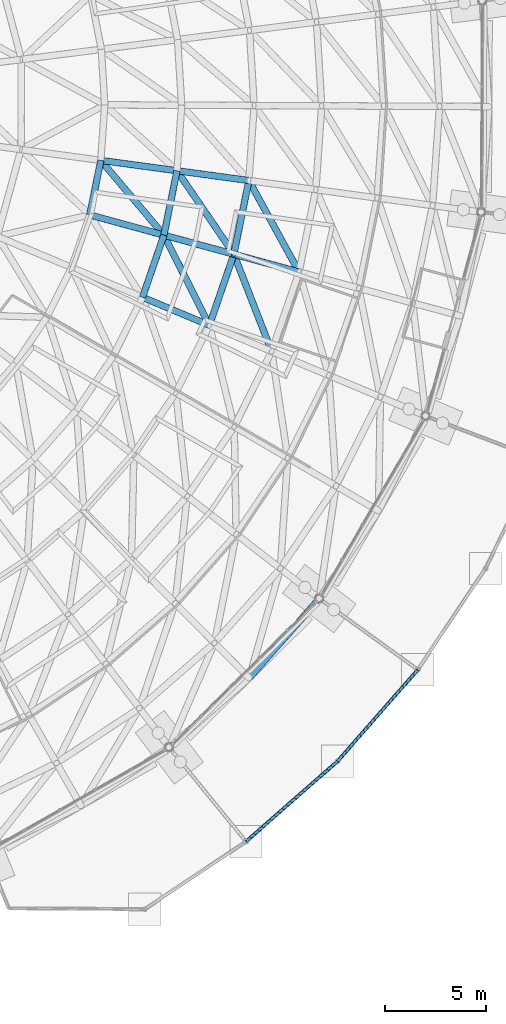
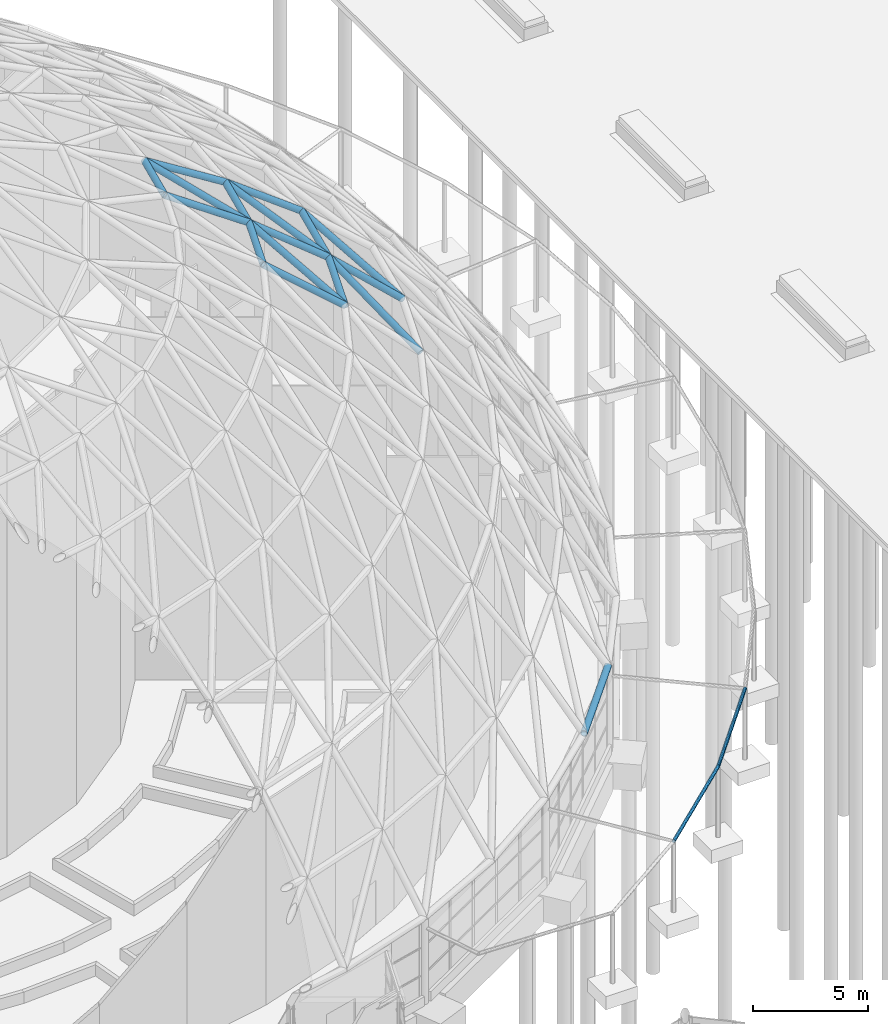
# One storey, part 104 of 226: 19 members.
"""IFC4 building model written with IfcOpenShell, lengths in metres."""

from ifc_helpers import new_model, si_unit, direction, frame, origin, origin_2d, place, context, subcontext, project, spatial, hollow_circle, extrude, material, material_profile, profile_set, type_object, element, save


model = new_model("IFC4")

# Units and contexts
model_context = context("Model", 3, precision=1e-05, world=origin(), true_north=direction((0.0, 1.0)))
body_context = subcontext(model_context, "Body", "Model", "MODEL_VIEW")
ifc_project = project(units=[si_unit("LENGTHUNIT", "METRE"), si_unit("AREAUNIT", "SQUARE_METRE"), si_unit("VOLUMEUNIT", "CUBIC_METRE"), si_unit("PLANEANGLEUNIT", "RADIAN"), si_unit("MASSUNIT", "GRAM", prefix="KILO")], contexts=[model_context])

# Site, building, storey
site_placement = place(None, origin())
site = spatial("IfcSite", under=ifc_project, at=site_placement, CompositionType="ELEMENT")
building_placement = place(site_placement, origin())
building = spatial("IfcBuilding", under=site, at=building_placement, Name="Ceibo Conservatory and Research Tower", CompositionType="ELEMENT")
storey_placement = place(building_placement, origin())
storey = spatial("IfcBuildingStorey", under=building, at=storey_placement, Name="L00", CompositionType="ELEMENT", Elevation=0.0)

# Members
ifc_material_1 = material(Name="Steel ASTM A500 Gr C", Category="steel")
ifc_material_profile_1 = material_profile(ifc_material_1, hollow_circle(Radius=0.084228515625, WallThickness=0.007080078125, at=origin_2d()), Name="CHS 168.3x7.11")
ifc_profile_set_1 = profile_set([ifc_material_profile_1], Name="Steel ASTM A500 Gr C")
member_type_1 = type_object("IfcMemberType", Name="CHS 168.3x7.11", PredefinedType="NOTDEFINED", material=ifc_profile_set_1)
for number, where, z_axis, x_axis, name in (
    (1, (184.0029296875, 71.505859375, 3.72705078125), (0.751844380656, 0.659334656538, -0.002799636388), (-0.659337240474, 0.751847327138, 0.0), "Brim tip ring A-TR24"),
    (2, (188.52685546875, 75.47314453125, 3.710205078125), (0.659334656538, 0.751844380656, 0.002799636388), (-0.751847327138, 0.659337240474, 0.0), "Brim tip ring A-TR25"),
):
    element("IfcMember", number, at=place(storey_placement, frame(where, z_axis=z_axis, x_axis=x_axis)), inside=storey, type_object=member_type_1, Name=name, PredefinedType="CHORD", context=body_context, shape_type="SweptSolid", body=[
        extrude(hollow_circle(Radius=0.084228515625, WallThickness=0.007080078125, at=origin_2d()), origin(), (0.0, 0.0, 1.0), 6.01708984375),
    ])
ifc_material_profile_2 = material_profile(ifc_material_1, hollow_circle(Radius=0.161865234375, WallThickness=0.01025390625, at=origin_2d()), Name="CHS 323.9x10.31")
ifc_profile_set_2 = profile_set([ifc_material_profile_2], Name="Steel ASTM A500 Gr C")
member_type_2 = type_object("IfcMemberType", Name="CHS 323.9x10.31", PredefinedType="NOTDEFINED", material=ifc_profile_set_2)
member_1_placement = place(storey_placement, frame((182.195068359375, 97.014892578125, 17.39501953125), z_axis=(-0.75813441207, 0.318032147885, 0.569287068311), x_axis=(-0.386835095779, -0.92214890808, 0.0)))
element("IfcMember", 3, at=member_1_placement, inside=storey, type_object=member_type_2, Name="Gridshell member A-M45-05", PredefinedType="RAFTER", context=body_context, shape_type="SweptSolid", body=[
    extrude(hollow_circle(Radius=0.161865234375, WallThickness=0.01025390625, at=origin_2d()), origin(), (0.0, 0.0, 1.0), 4.35791015625),
])
member_2_placement = place(storey_placement, frame((183.405029296875, 100.529052734375, 17.39501953125), z_axis=(-0.793235601629, 0.216123089766, 0.569269786988), x_axis=(-0.262875246601, -0.964829832004, 0.0)))
element("IfcMember", 4, at=member_2_placement, inside=storey, type_object=member_type_2, Name="Gridshell member A-M46-05", PredefinedType="RAFTER", context=body_context, shape_type="SweptSolid", body=[
    extrude(hollow_circle(Radius=0.161865234375, WallThickness=0.01025390625, at=origin_2d()), origin(), (0.0, 0.0, 1.0), 4.358154296875),
])
member_3_placement = place(storey_placement, frame((184.14599609375, 104.169921875, 17.39501953125), z_axis=(-0.814696103147, 0.110847960683, 0.569195036107), x_axis=(-0.134818315165, -0.990870335562, 0.0)))
element("IfcMember", 5, at=member_3_placement, inside=storey, type_object=member_type_2, Name="Gridshell member A-M47-05", PredefinedType="RAFTER", context=body_context, shape_type="SweptSolid", body=[
    extrude(hollow_circle(Radius=0.161865234375, WallThickness=0.01025390625, at=origin_2d()), origin(), (0.0, 0.0, 1.0), 4.358642578125),
])
member_4_placement = place(storey_placement, frame((179.947998046875, 101.470947265625, 19.8759765625), z_axis=(-0.840902685028, 0.229377823513, 0.49017189678), x_axis=(-0.263160896659, -0.964751959039, 0.0)))
element("IfcMember", 6, at=member_4_placement, inside=storey, type_object=member_type_2, Name="Gridshell member A-M46-06", PredefinedType="RAFTER", context=body_context, shape_type="SweptSolid", body=[
    extrude(hollow_circle(Radius=0.161865234375, WallThickness=0.01025390625, at=origin_2d()), origin(), (0.0, 0.0, 1.0), 4.359619140625),
])
member_5_placement = place(storey_placement, frame((180.594970703125, 104.653076171875, 19.8759765625), z_axis=(-0.863654401517, 0.117442661305, 0.490212500907), x_axis=(-0.134743303919, -0.990880538738, 0.0)))
element("IfcMember", 7, at=member_5_placement, inside=storey, type_object=member_type_2, Name="Gridshell member A-M47-06", PredefinedType="RAFTER", context=body_context, shape_type="SweptSolid", body=[
    extrude(hollow_circle(Radius=0.161865234375, WallThickness=0.01025390625, at=origin_2d()), origin(), (0.0, 0.0, 1.0), 4.359375),
])
ifc_material_profile_3 = material_profile(ifc_material_1, hollow_circle(Radius=0.161865234375, WallThickness=0.01416015625, at=origin_2d()), Name="CHS 323.9x14.27")
ifc_profile_set_3 = profile_set([ifc_material_profile_3], Name="Steel ASTM A500 Gr C")
member_type_3 = type_object("IfcMemberType", Name="CHS 323.9x14.27", PredefinedType="NOTDEFINED", material=ifc_profile_set_3)
member_6_placement = place(storey_placement, frame((186.625, 99.65087890625, 14.591064453125), z_axis=(-0.738681526701, 0.201458598191, 0.64324492639), x_axis=(-0.263117405792, -0.964763821238, 0.0)))
element("IfcMember", 8, at=member_6_placement, inside=storey, type_object=member_type_3, Name="Gridshell member A-M46-04", PredefinedType="RAFTER", context=body_context, shape_type="SweptSolid", body=[
    extrude(hollow_circle(Radius=0.161865234375, WallThickness=0.01416015625, at=origin_2d()), origin(), (0.0, 0.0, 1.0), 4.359130859375),
])
ifc_material_2 = material(Name="Steel S355J2H", Category="steel")
ifc_material_profile_4 = material_profile(ifc_material_2, hollow_circle(Radius=0.161865234375, WallThickness=0.025390625, at=origin_2d()), Name="CHS 323.9x25.40")
ifc_profile_set_4 = profile_set([ifc_material_profile_4], Name="Steel S355J2H")
member_type_4 = type_object("IfcMemberType", Name="CHS 323.9x25.40", PredefinedType="NOTDEFINED", material=ifc_profile_set_4)
member_7_placement = place(storey_placement, frame((184.160888671875, 79.593017578125, 4.5), z_axis=(0.662696713918, 0.748887885709, 0.0), x_axis=(-0.748887885709, 0.662696713918, 0.0)))
element("IfcMember", 9, at=member_7_placement, inside=storey, type_object=member_type_4, Name="Gridshell member A-C01-42", PredefinedType="CHORD", context=body_context, shape_type="SweptSolid", body=[
    extrude(hollow_circle(Radius=0.161865234375, WallThickness=0.025390625, at=origin_2d()), origin(), (0.0, 0.0, 1.0), 5.231689453125),
])
ifc_material_profile_5 = material_profile(ifc_material_1, hollow_circle(Radius=0.161865234375, WallThickness=0.00634765625, at=origin_2d()), Name="CHS 323.9x6.35")
ifc_profile_set_5 = profile_set([ifc_material_profile_5], Name="Steel ASTM A500 Gr C")
member_type_5 = type_object("IfcMemberType", Name="CHS 323.9x6.35", PredefinedType="NOTDEFINED", material=ifc_profile_set_5)
member_8_placement = place(storey_placement, frame((182.195068359375, 97.014892578125, 17.39501953125), z_axis=(-0.40318992487, 0.799546122199, 0.445156020918), x_axis=(-0.892895664366, -0.45026362562, 0.0)))
element("IfcMember", 10, at=member_8_placement, inside=storey, type_object=member_type_5, Name="Gridshell diagonal member A-D05-45", PredefinedType="BRACE", context=body_context, shape_type="SweptSolid", body=[
    extrude(hollow_circle(Radius=0.161865234375, WallThickness=0.00634765625, at=origin_2d()), origin(), (0.0, 0.0, 1.0), 5.5732421875),
])
member_9_placement = place(storey_placement, frame((183.405029296875, 100.529052734375, 17.39501953125), z_axis=(-0.504220638151, 0.739990879204, 0.445168559938), x_axis=(-0.82639291099, -0.563093914605, 0.0)))
element("IfcMember", 11, at=member_9_placement, inside=storey, type_object=member_type_5, Name="Gridshell diagonal member A-D05-46", PredefinedType="BRACE", context=body_context, shape_type="SweptSolid", body=[
    extrude(hollow_circle(Radius=0.161865234375, WallThickness=0.00634765625, at=origin_2d()), origin(), (0.0, 0.0, 1.0), 5.572998046875),
])
member_10_placement = place(storey_placement, frame((179.947998046875, 101.470947265625, 19.8759765625), z_axis=(-0.589923473888, 0.698937599515, 0.404322305766), x_axis=(-0.764186459344, -0.644995391731, 0.0)))
element("IfcMember", 12, at=member_10_placement, inside=storey, type_object=member_type_5, Name="Gridshell diagonal member A-D06-46", PredefinedType="BRACE", context=body_context, shape_type="SweptSolid", body=[
    extrude(hollow_circle(Radius=0.161865234375, WallThickness=0.00634765625, at=origin_2d()), origin(), (0.0, 0.0, 1.0), 5.285400390625),
])
ifc_material_profile_6 = material_profile(ifc_material_1, hollow_circle(Radius=0.161865234375, WallThickness=0.00830078125, at=origin_2d()), Name="CHS 323.9x8.38")
ifc_profile_set_6 = profile_set([ifc_material_profile_6], Name="Steel ASTM A500 Gr C")
member_type_6 = type_object("IfcMemberType", Name="CHS 323.9x8.38", PredefinedType="NOTDEFINED", material=ifc_profile_set_6)
member_11_placement = place(storey_placement, frame((182.195068359375, 97.014892578125, 17.39501953125), z_axis=(0.325553375077, 0.945523664419, 0.0), x_axis=(-0.945523664419, 0.325553375077, 0.0)))
element("IfcMember", 13, at=member_11_placement, inside=storey, type_object=member_type_6, Name="Gridshell member A-C05-45", PredefinedType="CHORD", context=body_context, shape_type="SweptSolid", body=[
    extrude(hollow_circle(Radius=0.161865234375, WallThickness=0.00830078125, at=origin_2d()), origin(), (0.0, 0.0, 1.0), 3.716552734375),
])
member_12_placement = place(storey_placement, frame((183.405029296875, 100.529052734375, 17.39501953125), z_axis=(0.199425721897, 0.979912945851, 0.0), x_axis=(-0.979912945851, 0.199425721897, 0.0)))
element("IfcMember", 14, at=member_12_placement, inside=storey, type_object=member_type_6, Name="Gridshell member A-C05-46", PredefinedType="CHORD", context=body_context, shape_type="SweptSolid", body=[
    extrude(hollow_circle(Radius=0.161865234375, WallThickness=0.00830078125, at=origin_2d()), origin(), (0.0, 0.0, 1.0), 3.715576171875),
])
member_13_placement = place(storey_placement, frame((178.89111328125, 98.40087890625, 19.8759765625), z_axis=(0.325506327114, 0.9455398622, 0.0), x_axis=(-0.9455398622, 0.325506327114, 0.0)))
element("IfcMember", 15, at=member_13_placement, inside=storey, type_object=member_type_6, Name="Gridshell member A-C06-45", PredefinedType="CHORD", context=body_context, shape_type="SweptSolid", body=[
    extrude(hollow_circle(Radius=0.161865234375, WallThickness=0.00830078125, at=origin_2d()), origin(), (0.0, 0.0, 1.0), 3.246826171875),
])
member_14_placement = place(storey_placement, frame((179.947998046875, 101.470947265625, 19.8759765625), z_axis=(0.199238177225, 0.979951095074, 0.0), x_axis=(-0.979951095074, 0.199238177225, 0.0)))
element("IfcMember", 16, at=member_14_placement, inside=storey, type_object=member_type_6, Name="Gridshell member A-C06-46", PredefinedType="CHORD", context=body_context, shape_type="SweptSolid", body=[
    extrude(hollow_circle(Radius=0.161865234375, WallThickness=0.00830078125, at=origin_2d()), origin(), (0.0, 0.0, 1.0), 3.247314453125),
])
member_15_placement = place(storey_placement, frame((176.281982421875, 102.470947265625, 22.012939453125), z_axis=(0.199359737711, 0.979926372224, 0.0), x_axis=(-0.979926372224, 0.199359737711, 0.0)))
element("IfcMember", 17, at=member_15_placement, inside=storey, type_object=member_type_6, Name="Gridshell member A-C07-46", PredefinedType="CHORD", context=body_context, shape_type="SweptSolid", body=[
    extrude(hollow_circle(Radius=0.161865234375, WallThickness=0.00830078125, at=origin_2d()), origin(), (0.0, 0.0, 1.0), 2.749267578125),
])
for number, where, z_axis, x_axis, name in (
    (18, (185.27294921875, 95.72509765625, 14.591064453125), (-0.318342282544, 0.818719264621, 0.477867091232), (-0.932023337386, -0.36239825961, 0.0), "Gridshell diagonal member A-D04-45"),
    (19, (186.625, 99.65087890625, 14.591064453125), (-0.422486318059, 0.770161684781, 0.477866393826), (-0.876745405633, -0.480954773031, 0.0), "Gridshell diagonal member A-D04-46"),
):
    element("IfcMember", number, at=place(storey_placement, frame(where, z_axis=z_axis, x_axis=x_axis)), inside=storey, type_object=member_type_6, Name=name, PredefinedType="BRACE", context=body_context, shape_type="SweptSolid", body=[
        extrude(hollow_circle(Radius=0.161865234375, WallThickness=0.00830078125, at=origin_2d()), origin(), (0.0, 0.0, 1.0), 5.86767578125),
    ])

save(model, "model.ifc")
